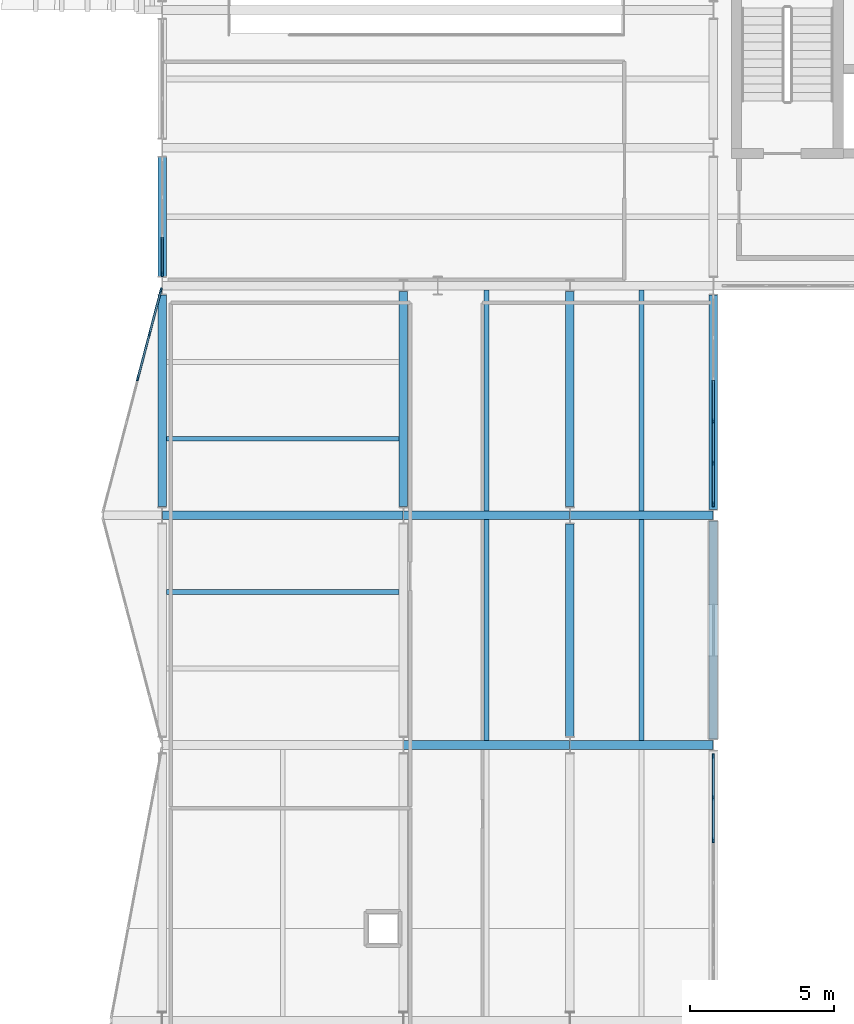
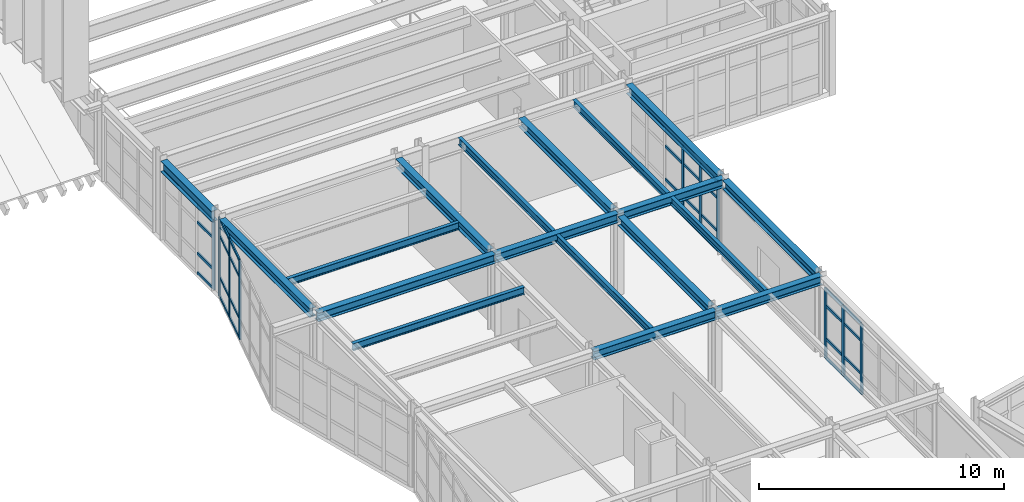
# One storey, part 36 of 99: 42 members, 18 beams, 4 elements without a shape of their own.
"""IFC4 building model written with IfcOpenShell, lengths in metres."""

from ifc_helpers import new_model, si_unit, direction, frame, origin, origin_2d, place, context, subcontext, project, spatial, rectangle, i_section, extrude, material, layer, layer_set, material_profile, profile_set, type_object, element, aggregate, save


model = new_model("IFC4")

# Units and contexts
model_context = context("Model", 3, precision=1e-05, world=origin(), true_north=direction((0.0, 1.0)))
body_context = subcontext(model_context, "Body", "Model", "MODEL_VIEW")
ifc_project = project(units=[si_unit("LENGTHUNIT", "METRE"), si_unit("AREAUNIT", "SQUARE_METRE"), si_unit("VOLUMEUNIT", "CUBIC_METRE"), si_unit("PLANEANGLEUNIT", "RADIAN"), si_unit("MASSUNIT", "GRAM", prefix="KILO")], contexts=[model_context])

# Site, building, storey
site_placement = place(None, origin())
site = spatial("IfcSite", under=ifc_project, at=site_placement, CompositionType="ELEMENT")
building_placement = place(site_placement, origin())
building = spatial("IfcBuilding", under=site, at=building_placement, Name="Nordkorset Police Headquarters", CompositionType="ELEMENT")
storey_placement = place(building_placement, frame((0.0, 0.0, 5.25)))
storey = spatial("IfcBuildingStorey", under=building, at=storey_placement, Name="L01", CompositionType="ELEMENT", Elevation=5.25)

# Beams
ifc_material_1 = material(Name="Steel S355J2", Category="steel")
ifc_material_profile_1 = material_profile(ifc_material_1, i_section(OverallWidth=0.169921875, OverallDepth=0.360107421875, WebThickness=0.008056640625, FlangeThickness=0.0126953125, FilletRadius=0.01806640625, at=origin_2d()), Name="IPE 360")
ifc_profile_set_1 = profile_set([ifc_material_profile_1], Name="Steel S355J2")
beam_type_1 = type_object("IfcBeamType", Name="Beam_IPE_360", PredefinedType="BEAM", material=ifc_profile_set_1)
for number, where, z_axis, x_axis, name in (
    (1, (0.14990234375, 72.533447265625, 3.780029296875), (1.0, 0.0, 0.0), (0.0, 1.0, 0.0), "Composite Floor Beam V3 L01 0-4-2"),
    (2, (0.14990234375, 77.86669921875, 3.780029296875), (1.0, 0.0, 0.0), (0.0, 1.0, 0.0), "Composite Floor Beam V3 L01 0-5-1"),
):
    element("IfcBeam", number, at=place(storey_placement, frame(where, z_axis=z_axis, x_axis=x_axis)), inside=storey, type_object=beam_type_1, Name=name, PredefinedType="BEAM", context=body_context, shape_type="SweptSolid", body=[
        extrude(i_section(OverallWidth=0.169921875, OverallDepth=0.360107421875, WebThickness=0.008056640625, FlangeThickness=0.0126953125, FilletRadius=0.01806640625, at=origin_2d()), origin(), (0.0, 0.0, 1.0), 8.10009765625),
    ])
for number, where, z_axis, x_axis, name in (
    (3, (11.300048828125, 67.35009765625, 3.780029296875), (0.0, 1.0, 0.0), (-1.0, 0.0, 0.0), "Composite Floor Beam V3 L01 1-4-1"),
    (4, (11.300048828125, 75.35009765625, 3.780029296875), (0.0, 1.0, 0.0), (-1.0, 0.0, 0.0), "Composite Floor Beam V3 L01 1-5-1"),
    (5, (16.699951171875, 67.35009765625, 3.780029296875), (0.0, 1.0, 0.0), (-1.0, 0.0, 0.0), "Composite Floor Beam V3 L01 2-4-1"),
    (6, (16.699951171875, 75.35009765625, 3.780029296875), (0.0, 1.0, 0.0), (-1.0, 0.0, 0.0), "Composite Floor Beam V3 L01 2-5-1"),
):
    element("IfcBeam", number, at=place(storey_placement, frame(where, z_axis=z_axis, x_axis=x_axis)), inside=storey, type_object=beam_type_1, Name=name, PredefinedType="BEAM", context=body_context, shape_type="SweptSolid", body=[
        extrude(i_section(OverallWidth=0.169921875, OverallDepth=0.360107421875, WebThickness=0.008056640625, FlangeThickness=0.0126953125, FilletRadius=0.01806640625, at=origin_2d()), origin(), (0.0, 0.0, 1.0), 7.699951171875),
    ])

# Curtain wall, member
ifc_material_2 = material(Name="Aluminium alloy AW-6060", Category="aluminium")
ifc_layer_1 = layer(ifc_material_2, 0.179931640625, Name="Aluminium alloy AW-6060")
ifc_layer_set_1 = layer_set([ifc_layer_1], Name="Aluminium alloy AW-6060")
curtain_wall_type_1 = type_object("IfcCurtainWallType", Name="CW_Unit_408x340", PredefinedType="USERDEFINED", material=ifc_layer_set_1)
curtain_wall_1_placement = place(storey_placement, origin())
curtain_wall_1 = element("IfcCurtainWall", 7, at=curtain_wall_1_placement, inside=storey, type_object=curtain_wall_type_1, Name="Unitised Curtain Wall L01 V1W-0", ObjectType="UNITISED CURTAIN WALL", PredefinedType="USERDEFINED")
ifc_material_3 = material(Name="Aluminium alloy AW-6060", Category="aluminium")
ifc_material_profile_2 = material_profile(ifc_material_3, rectangle(XDim=0.06494140625, YDim=0.179931640625, at=origin_2d()), Name="ALU MULL 65x180")
ifc_profile_set_2 = profile_set([ifc_material_profile_2], Name="Aluminium alloy AW-6060")
member_type_1 = type_object("IfcMemberType", Name="CW_Mullion_65x180", PredefinedType="MULLION", material=ifc_profile_set_2)
member_1_placement = place(storey_placement, frame((0.0, 83.592529296875, 0.0), z_axis=(0.0, 0.0, 1.0), x_axis=(-1.0, 0.0, 0.0)))
member_1 = element("IfcMember", 8, at=member_1_placement, type_object=member_type_1, Name="CW-75 mullion 1", PredefinedType="MULLION", context=body_context, shape_type="SweptSolid", body=[
    extrude(rectangle(XDim=0.06494140625, YDim=0.179931640625, at=origin_2d()), origin(), (0.0, 0.0, 1.0), 3.39990234375),
])

# Curtain wall, members
ifc_material_4 = material(Name="Aluminium alloy AW-6060", Category="aluminium")
ifc_layer_2 = layer(ifc_material_4, 0.179931640625, Name="Aluminium alloy AW-6060")
ifc_layer_set_2 = layer_set([ifc_layer_2], Name="Aluminium alloy AW-6060")
curtain_wall_type_2 = type_object("IfcCurtainWallType", Name="CW_Unit_888x350", PredefinedType="USERDEFINED", material=ifc_layer_set_2)
curtain_wall_2_placement = place(storey_placement, origin())
curtain_wall_2 = element("IfcCurtainWall", 9, at=curtain_wall_2_placement, inside=storey, type_object=curtain_wall_type_2, Name="Unitised Curtain Wall L01 V3E-3", ObjectType="UNITISED CURTAIN WALL", PredefinedType="USERDEFINED")
member_2_placement = place(storey_placement, frame((19.199951171875, 63.8798828125, 0.0), z_axis=(0.0, 0.0, 1.0), x_axis=(-1.0, 0.0, 0.0)))
member_2 = element("IfcMember", 10, at=member_2_placement, type_object=member_type_1, Name="CW-95 mullion 5", PredefinedType="MULLION", context=body_context, shape_type="SweptSolid", body=[
    extrude(rectangle(XDim=0.06494140625, YDim=0.179931640625, at=origin_2d()), origin(), (0.0, 0.0, 1.0), 3.5),
])
member_3_placement = place(storey_placement, frame((19.199951171875, 65.360107421875, 0.0), z_axis=(0.0, 0.0, 1.0), x_axis=(-1.0, 0.0, 0.0)))
member_3 = element("IfcMember", 11, at=member_3_placement, type_object=member_type_1, Name="CW-95 mullion 6", PredefinedType="MULLION", context=body_context, shape_type="SweptSolid", body=[
    extrude(rectangle(XDim=0.06494140625, YDim=0.179931640625, at=origin_2d()), origin(), (0.0, 0.0, 1.0), 3.5),
])
member_4_placement = place(storey_placement, frame((19.199951171875, 66.8076171875, 0.0), z_axis=(0.0, 0.0, 1.0), x_axis=(-1.0, 0.0, 0.0)))
member_4 = element("IfcMember", 12, at=member_4_placement, type_object=member_type_1, Name="CW-95 mullion 7", PredefinedType="MULLION", context=body_context, shape_type="SweptSolid", body=[
    extrude(rectangle(XDim=0.06494140625, YDim=0.179931640625, at=origin_2d()), origin(), (0.0, 0.0, 1.0), 3.5),
])

ifc_material_5 = material(Name="Aluminium alloy AW-6060", Category="aluminium")
ifc_layer_3 = layer(ifc_material_5, 0.179931640625, Name="Aluminium alloy AW-6060")
ifc_layer_set_3 = layer_set([ifc_layer_3], Name="Aluminium alloy AW-6060")
curtain_wall_type_3 = type_object("IfcCurtainWallType", Name="CW_Unit_799x392", PredefinedType="USERDEFINED", material=ifc_layer_set_3)
curtain_wall_3_placement = place(storey_placement, origin())
curtain_wall_3 = element("IfcCurtainWall", 13, at=curtain_wall_3_placement, inside=storey, type_object=curtain_wall_type_3, Name="Unitised Curtain Wall L01 V3W-5", ObjectType="UNITISED CURTAIN WALL", PredefinedType="USERDEFINED")
member_5_placement = place(storey_placement, frame((-0.84716796875, 79.972900390625, 0.0), z_axis=(0.0, 0.0, 1.0), x_axis=(-0.967231265013, 0.25389698695, 0.0)))
member_5 = element("IfcMember", 14, at=member_5_placement, type_object=member_type_1, Name="CW-68 mullion 4", PredefinedType="MULLION", context=body_context, shape_type="SweptSolid", body=[
    extrude(rectangle(XDim=0.06494140625, YDim=0.179931640625, at=origin_2d()), origin(), (0.0, 0.0, 1.0), 3.919921875),
])
member_6_placement = place(storey_placement, frame((-0.44140625, 81.518798828125, 0.0), z_axis=(0.0, 0.0, 1.0), x_axis=(-0.967231265013, 0.25389698695, 0.0)))
member_6 = element("IfcMember", 15, at=member_6_placement, type_object=member_type_1, Name="CW-68 mullion 5", PredefinedType="MULLION", context=body_context, shape_type="SweptSolid", body=[
    extrude(rectangle(XDim=0.06494140625, YDim=0.179931640625, at=origin_2d()), origin(), (0.0, 0.0, 1.0), 3.919921875),
])
member_7_placement = place(storey_placement, frame((-0.043701171875, 83.033203125, 0.0), z_axis=(0.0, 0.0, 1.0), x_axis=(-0.967231265013, 0.25389698695, 0.0)))
member_7 = element("IfcMember", 16, at=member_7_placement, type_object=member_type_1, Name="CW-68 mullion 6", PredefinedType="MULLION", context=body_context, shape_type="SweptSolid", body=[
    extrude(rectangle(XDim=0.06494140625, YDim=0.179931640625, at=origin_2d()), origin(), (0.0, 0.0, 1.0), 3.919921875),
])

ifc_material_6 = material(Name="Aluminium alloy AW-6060", Category="aluminium")
ifc_layer_4 = layer(ifc_material_6, 0.179931640625, Name="Aluminium alloy AW-6060")
ifc_layer_set_4 = layer_set([ifc_layer_4], Name="Aluminium alloy AW-6060")
curtain_wall_type_4 = type_object("IfcCurtainWallType", Name="CW_Unit_728x350", PredefinedType="USERDEFINED", material=ifc_layer_set_4)
curtain_wall_4_placement = place(storey_placement, origin())
curtain_wall_4 = element("IfcCurtainWall", 17, at=curtain_wall_4_placement, inside=storey, type_object=curtain_wall_type_4, Name="Unitised Curtain Wall L01 V3E-5", ObjectType="UNITISED CURTAIN WALL", PredefinedType="USERDEFINED")
member_8_placement = place(storey_placement, frame((19.199951171875, 75.592529296875, 0.0), z_axis=(0.0, 0.0, 1.0), x_axis=(-1.0, 0.0, 0.0)))
member_8 = element("IfcMember", 18, at=member_8_placement, type_object=member_type_1, Name="CW-70 mullion 1", PredefinedType="MULLION", context=body_context, shape_type="SweptSolid", body=[
    extrude(rectangle(XDim=0.06494140625, YDim=0.179931640625, at=origin_2d()), origin(), (0.0, 0.0, 1.0), 3.5),
])
member_9_placement = place(storey_placement, frame((19.199951171875, 77.01611328125, 0.0), z_axis=(0.0, 0.0, 1.0), x_axis=(-1.0, 0.0, 0.0)))
member_9 = element("IfcMember", 19, at=member_9_placement, type_object=member_type_1, Name="CW-70 mullion 2", PredefinedType="MULLION", context=body_context, shape_type="SweptSolid", body=[
    extrude(rectangle(XDim=0.06494140625, YDim=0.179931640625, at=origin_2d()), origin(), (0.0, 0.0, 1.0), 3.5),
])
member_10_placement = place(storey_placement, frame((19.199951171875, 78.471923828125, 0.0), z_axis=(0.0, 0.0, 1.0), x_axis=(-1.0, 0.0, 0.0)))
member_10 = element("IfcMember", 20, at=member_10_placement, type_object=member_type_1, Name="CW-70 mullion 3", PredefinedType="MULLION", context=body_context, shape_type="SweptSolid", body=[
    extrude(rectangle(XDim=0.06494140625, YDim=0.179931640625, at=origin_2d()), origin(), (0.0, 0.0, 1.0), 3.5),
])

# Member
ifc_material_7 = material(Name="Aluminium alloy AW-6060", Category="aluminium")
ifc_material_profile_3 = material_profile(ifc_material_7, rectangle(XDim=0.06494140625, YDim=0.139892578125, at=origin_2d()), Name="ALU TRAN 65x140")
ifc_profile_set_3 = profile_set([ifc_material_profile_3], Name="Aluminium alloy AW-6060")
member_type_2 = type_object("IfcMemberType", Name="CW_Transom_65x140", PredefinedType="USERDEFINED", material=ifc_profile_set_3)
member_11_placement = place(storey_placement, frame((0.0, 83.625, 0.032470703125), z_axis=(0.0, 1.0, 0.0), x_axis=(-1.0, 0.0, 0.0)))
member_11 = element("IfcMember", 21, at=member_11_placement, type_object=member_type_2, Name="CW-75 transom 1.1", ObjectType="TRANSOM", PredefinedType="USERDEFINED", context=body_context, shape_type="SweptSolid", body=[
    extrude(rectangle(XDim=0.06494140625, YDim=0.139892578125, at=origin_2d()), origin(), (0.0, 0.0, 1.0), 1.262451171875),
])

member_12_placement = place(storey_placement, frame((0.0, 83.625, 1.0), z_axis=(0.0, 1.0, 0.0), x_axis=(-1.0, 0.0, 0.0)))
member_12 = element("IfcMember", 22, at=member_12_placement, type_object=member_type_2, Name="CW-75 transom 1.2", ObjectType="TRANSOM", PredefinedType="USERDEFINED", context=body_context, shape_type="SweptSolid", body=[
    extrude(rectangle(XDim=0.06494140625, YDim=0.139892578125, at=origin_2d()), origin(), (0.0, 0.0, 1.0), 1.262451171875),
])

member_13_placement = place(storey_placement, frame((0.0, 83.625, 2.550048828125), z_axis=(0.0, 1.0, 0.0), x_axis=(-1.0, 0.0, 0.0)))
member_13 = element("IfcMember", 23, at=member_13_placement, type_object=member_type_2, Name="CW-75 transom 1.3", ObjectType="TRANSOM", PredefinedType="USERDEFINED", context=body_context, shape_type="SweptSolid", body=[
    extrude(rectangle(XDim=0.06494140625, YDim=0.139892578125, at=origin_2d()), origin(), (0.0, 0.0, 1.0), 1.262451171875),
])

member_14_placement = place(storey_placement, frame((0.0, 83.625, 3.367431640625), z_axis=(0.0, 1.0, 0.0), x_axis=(-1.0, 0.0, 0.0)))
member_14 = element("IfcMember", 24, at=member_14_placement, type_object=member_type_2, Name="CW-75 transom 1.4", ObjectType="TRANSOM", PredefinedType="USERDEFINED", context=body_context, shape_type="SweptSolid", body=[
    extrude(rectangle(XDim=0.06494140625, YDim=0.139892578125, at=origin_2d()), origin(), (0.0, 0.0, 1.0), 1.262451171875),
])

aggregate(curtain_wall_1, [member_1, member_11, member_12, member_13, member_14])

member_15_placement = place(storey_placement, frame((19.199951171875, 63.91259765625, 0.032470703125), z_axis=(0.0, 1.0, 0.0), x_axis=(-1.0, 0.0, 0.0)))
member_15 = element("IfcMember", 25, at=member_15_placement, type_object=member_type_2, Name="CW-95 transom 5.1", ObjectType="TRANSOM", PredefinedType="USERDEFINED", context=body_context, shape_type="SweptSolid", body=[
    extrude(rectangle(XDim=0.06494140625, YDim=0.139892578125, at=origin_2d()), origin(), (0.0, 0.0, 1.0), 1.414794921875),
])

member_16_placement = place(storey_placement, frame((19.199951171875, 63.91259765625, 1.0), z_axis=(0.0, 1.0, 0.0), x_axis=(-1.0, 0.0, 0.0)))
member_16 = element("IfcMember", 26, at=member_16_placement, type_object=member_type_2, Name="CW-95 transom 5.2", ObjectType="TRANSOM", PredefinedType="USERDEFINED", context=body_context, shape_type="SweptSolid", body=[
    extrude(rectangle(XDim=0.06494140625, YDim=0.139892578125, at=origin_2d()), origin(), (0.0, 0.0, 1.0), 1.414794921875),
])

member_17_placement = place(storey_placement, frame((19.199951171875, 63.91259765625, 2.64990234375), z_axis=(0.0, 1.0, 0.0), x_axis=(-1.0, 0.0, 0.0)))
member_17 = element("IfcMember", 27, at=member_17_placement, type_object=member_type_2, Name="CW-95 transom 5.3", ObjectType="TRANSOM", PredefinedType="USERDEFINED", context=body_context, shape_type="SweptSolid", body=[
    extrude(rectangle(XDim=0.06494140625, YDim=0.139892578125, at=origin_2d()), origin(), (0.0, 0.0, 1.0), 1.414794921875),
])

member_18_placement = place(storey_placement, frame((19.199951171875, 63.91259765625, 3.467529296875), z_axis=(0.0, 1.0, 0.0), x_axis=(-1.0, 0.0, 0.0)))
member_18 = element("IfcMember", 28, at=member_18_placement, type_object=member_type_2, Name="CW-95 transom 5.4", ObjectType="TRANSOM", PredefinedType="USERDEFINED", context=body_context, shape_type="SweptSolid", body=[
    extrude(rectangle(XDim=0.06494140625, YDim=0.139892578125, at=origin_2d()), origin(), (0.0, 0.0, 1.0), 1.414794921875),
])

member_19_placement = place(storey_placement, frame((19.199951171875, 65.392578125, 0.032470703125), z_axis=(0.0, 1.0, 0.0), x_axis=(-1.0, 0.0, 0.0)))
member_19 = element("IfcMember", 29, at=member_19_placement, type_object=member_type_2, Name="CW-95 transom 6.1", ObjectType="TRANSOM", PredefinedType="USERDEFINED", context=body_context, shape_type="SweptSolid", body=[
    extrude(rectangle(XDim=0.06494140625, YDim=0.139892578125, at=origin_2d()), origin(), (0.0, 0.0, 1.0), 1.38232421875),
])

member_20_placement = place(storey_placement, frame((19.199951171875, 65.392578125, 1.0), z_axis=(0.0, 1.0, 0.0), x_axis=(-1.0, 0.0, 0.0)))
member_20 = element("IfcMember", 30, at=member_20_placement, type_object=member_type_2, Name="CW-95 transom 6.2", ObjectType="TRANSOM", PredefinedType="USERDEFINED", context=body_context, shape_type="SweptSolid", body=[
    extrude(rectangle(XDim=0.06494140625, YDim=0.139892578125, at=origin_2d()), origin(), (0.0, 0.0, 1.0), 1.38232421875),
])

member_21_placement = place(storey_placement, frame((19.199951171875, 65.392578125, 2.64990234375), z_axis=(0.0, 1.0, 0.0), x_axis=(-1.0, 0.0, 0.0)))
member_21 = element("IfcMember", 31, at=member_21_placement, type_object=member_type_2, Name="CW-95 transom 6.3", ObjectType="TRANSOM", PredefinedType="USERDEFINED", context=body_context, shape_type="SweptSolid", body=[
    extrude(rectangle(XDim=0.06494140625, YDim=0.139892578125, at=origin_2d()), origin(), (0.0, 0.0, 1.0), 1.38232421875),
])

member_22_placement = place(storey_placement, frame((19.199951171875, 65.392578125, 3.467529296875), z_axis=(0.0, 1.0, 0.0), x_axis=(-1.0, 0.0, 0.0)))
member_22 = element("IfcMember", 32, at=member_22_placement, type_object=member_type_2, Name="CW-95 transom 6.4", ObjectType="TRANSOM", PredefinedType="USERDEFINED", context=body_context, shape_type="SweptSolid", body=[
    extrude(rectangle(XDim=0.06494140625, YDim=0.139892578125, at=origin_2d()), origin(), (0.0, 0.0, 1.0), 1.38232421875),
])

aggregate(curtain_wall_2, [member_2, member_3, member_4, member_15, member_16, member_17, member_18, member_19, member_20, member_21, member_22])

member_23_placement = place(storey_placement, frame((-0.8388671875, 80.00439453125, 0.032470703125), z_axis=(0.253983786522, 0.967208476071, 0.0), x_axis=(-0.967208476071, 0.253983786522, 0.0)))
member_23 = element("IfcMember", 33, at=member_23_placement, type_object=member_type_2, Name="CW-68 transom 4.1", ObjectType="TRANSOM", PredefinedType="USERDEFINED", context=body_context, shape_type="SweptSolid", body=[
    extrude(rectangle(XDim=0.06494140625, YDim=0.139892578125, at=origin_2d()), origin(), (0.0, 0.0, 1.0), 1.533203125),
])

member_24_placement = place(storey_placement, frame((-0.8388671875, 80.00439453125, 1.0), z_axis=(0.253983786522, 0.967208476071, 0.0), x_axis=(-0.967208476071, 0.253983786522, 0.0)))
member_24 = element("IfcMember", 34, at=member_24_placement, type_object=member_type_2, Name="CW-68 transom 4.2", ObjectType="TRANSOM", PredefinedType="USERDEFINED", context=body_context, shape_type="SweptSolid", body=[
    extrude(rectangle(XDim=0.06494140625, YDim=0.139892578125, at=origin_2d()), origin(), (0.0, 0.0, 1.0), 1.533203125),
])

member_25_placement = place(storey_placement, frame((-0.8388671875, 80.00439453125, 3.070068359375), z_axis=(0.253983786522, 0.967208476071, 0.0), x_axis=(-0.967208476071, 0.253983786522, 0.0)))
member_25 = element("IfcMember", 35, at=member_25_placement, type_object=member_type_2, Name="CW-68 transom 4.3", ObjectType="TRANSOM", PredefinedType="USERDEFINED", context=body_context, shape_type="SweptSolid", body=[
    extrude(rectangle(XDim=0.06494140625, YDim=0.139892578125, at=origin_2d()), origin(), (0.0, 0.0, 1.0), 1.533203125),
])

member_26_placement = place(storey_placement, frame((-0.8388671875, 80.00439453125, 3.887451171875), z_axis=(0.253983786522, 0.967208476071, 0.0), x_axis=(-0.967208476071, 0.253983786522, 0.0)))
member_26 = element("IfcMember", 36, at=member_26_placement, type_object=member_type_2, Name="CW-68 transom 4.4", ObjectType="TRANSOM", PredefinedType="USERDEFINED", context=body_context, shape_type="SweptSolid", body=[
    extrude(rectangle(XDim=0.06494140625, YDim=0.139892578125, at=origin_2d()), origin(), (0.0, 0.0, 1.0), 1.533203125),
])

member_27_placement = place(storey_placement, frame((-0.43310546875, 81.55029296875, 0.032470703125), z_axis=(0.253964717796, 0.967213483216, 0.0), x_axis=(-0.967213483216, 0.253964717796, 0.0)))
member_27 = element("IfcMember", 37, at=member_27_placement, type_object=member_type_2, Name="CW-68 transom 5.1", ObjectType="TRANSOM", PredefinedType="USERDEFINED", context=body_context, shape_type="SweptSolid", body=[
    extrude(rectangle(XDim=0.06494140625, YDim=0.139892578125, at=origin_2d()), origin(), (0.0, 0.0, 1.0), 1.500732421875),
])

member_28_placement = place(storey_placement, frame((-0.43310546875, 81.55029296875, 1.0), z_axis=(0.253964717796, 0.967213483216, 0.0), x_axis=(-0.967213483216, 0.253964717796, 0.0)))
member_28 = element("IfcMember", 38, at=member_28_placement, type_object=member_type_2, Name="CW-68 transom 5.2", ObjectType="TRANSOM", PredefinedType="USERDEFINED", context=body_context, shape_type="SweptSolid", body=[
    extrude(rectangle(XDim=0.06494140625, YDim=0.139892578125, at=origin_2d()), origin(), (0.0, 0.0, 1.0), 1.500732421875),
])

member_29_placement = place(storey_placement, frame((-0.43310546875, 81.55029296875, 3.070068359375), z_axis=(0.253964717796, 0.967213483216, 0.0), x_axis=(-0.967213483216, 0.253964717796, 0.0)))
member_29 = element("IfcMember", 39, at=member_29_placement, type_object=member_type_2, Name="CW-68 transom 5.3", ObjectType="TRANSOM", PredefinedType="USERDEFINED", context=body_context, shape_type="SweptSolid", body=[
    extrude(rectangle(XDim=0.06494140625, YDim=0.139892578125, at=origin_2d()), origin(), (0.0, 0.0, 1.0), 1.500732421875),
])

member_30_placement = place(storey_placement, frame((-0.43310546875, 81.55029296875, 3.887451171875), z_axis=(0.253964717796, 0.967213483216, 0.0), x_axis=(-0.967213483216, 0.253964717796, 0.0)))
member_30 = element("IfcMember", 40, at=member_30_placement, type_object=member_type_2, Name="CW-68 transom 5.4", ObjectType="TRANSOM", PredefinedType="USERDEFINED", context=body_context, shape_type="SweptSolid", body=[
    extrude(rectangle(XDim=0.06494140625, YDim=0.139892578125, at=origin_2d()), origin(), (0.0, 0.0, 1.0), 1.500732421875),
])

aggregate(curtain_wall_3, [member_5, member_6, member_7, member_23, member_24, member_25, member_26, member_27, member_28, member_29, member_30])

member_31_placement = place(storey_placement, frame((19.199951171875, 75.625, 0.032470703125), z_axis=(0.0, 1.0, 0.0), x_axis=(-1.0, 0.0, 0.0)))
member_31 = element("IfcMember", 41, at=member_31_placement, type_object=member_type_2, Name="CW-70 transom 1.1", ObjectType="TRANSOM", PredefinedType="USERDEFINED", context=body_context, shape_type="SweptSolid", body=[
    extrude(rectangle(XDim=0.06494140625, YDim=0.139892578125, at=origin_2d()), origin(), (0.0, 0.0, 1.0), 1.3583984375),
])

member_32_placement = place(storey_placement, frame((19.199951171875, 75.625, 1.0), z_axis=(0.0, 1.0, 0.0), x_axis=(-1.0, 0.0, 0.0)))
member_32 = element("IfcMember", 42, at=member_32_placement, type_object=member_type_2, Name="CW-70 transom 1.2", ObjectType="TRANSOM", PredefinedType="USERDEFINED", context=body_context, shape_type="SweptSolid", body=[
    extrude(rectangle(XDim=0.06494140625, YDim=0.139892578125, at=origin_2d()), origin(), (0.0, 0.0, 1.0), 1.3583984375),
])

member_33_placement = place(storey_placement, frame((19.199951171875, 75.625, 2.64990234375), z_axis=(0.0, 1.0, 0.0), x_axis=(-1.0, 0.0, 0.0)))
member_33 = element("IfcMember", 43, at=member_33_placement, type_object=member_type_2, Name="CW-70 transom 1.3", ObjectType="TRANSOM", PredefinedType="USERDEFINED", context=body_context, shape_type="SweptSolid", body=[
    extrude(rectangle(XDim=0.06494140625, YDim=0.139892578125, at=origin_2d()), origin(), (0.0, 0.0, 1.0), 1.3583984375),
])

member_34_placement = place(storey_placement, frame((19.199951171875, 75.625, 3.467529296875), z_axis=(0.0, 1.0, 0.0), x_axis=(-1.0, 0.0, 0.0)))
member_34 = element("IfcMember", 44, at=member_34_placement, type_object=member_type_2, Name="CW-70 transom 1.4", ObjectType="TRANSOM", PredefinedType="USERDEFINED", context=body_context, shape_type="SweptSolid", body=[
    extrude(rectangle(XDim=0.06494140625, YDim=0.139892578125, at=origin_2d()), origin(), (0.0, 0.0, 1.0), 1.3583984375),
])

member_35_placement = place(storey_placement, frame((19.199951171875, 77.048583984375, 0.032470703125), z_axis=(0.0, 1.0, 0.0), x_axis=(-1.0, 0.0, 0.0)))
member_35 = element("IfcMember", 45, at=member_35_placement, type_object=member_type_2, Name="CW-70 transom 2.1", ObjectType="TRANSOM", PredefinedType="USERDEFINED", context=body_context, shape_type="SweptSolid", body=[
    extrude(rectangle(XDim=0.06494140625, YDim=0.139892578125, at=origin_2d()), origin(), (0.0, 0.0, 1.0), 1.390869140625),
])

member_36_placement = place(storey_placement, frame((19.199951171875, 77.048583984375, 1.0), z_axis=(0.0, 1.0, 0.0), x_axis=(-1.0, 0.0, 0.0)))
member_36 = element("IfcMember", 46, at=member_36_placement, type_object=member_type_2, Name="CW-70 transom 2.2", ObjectType="TRANSOM", PredefinedType="USERDEFINED", context=body_context, shape_type="SweptSolid", body=[
    extrude(rectangle(XDim=0.06494140625, YDim=0.139892578125, at=origin_2d()), origin(), (0.0, 0.0, 1.0), 1.390869140625),
])

member_37_placement = place(storey_placement, frame((19.199951171875, 77.048583984375, 2.64990234375), z_axis=(0.0, 1.0, 0.0), x_axis=(-1.0, 0.0, 0.0)))
member_37 = element("IfcMember", 47, at=member_37_placement, type_object=member_type_2, Name="CW-70 transom 2.3", ObjectType="TRANSOM", PredefinedType="USERDEFINED", context=body_context, shape_type="SweptSolid", body=[
    extrude(rectangle(XDim=0.06494140625, YDim=0.139892578125, at=origin_2d()), origin(), (0.0, 0.0, 1.0), 1.390869140625),
])

member_38_placement = place(storey_placement, frame((19.199951171875, 77.048583984375, 3.467529296875), z_axis=(0.0, 1.0, 0.0), x_axis=(-1.0, 0.0, 0.0)))
member_38 = element("IfcMember", 48, at=member_38_placement, type_object=member_type_2, Name="CW-70 transom 2.4", ObjectType="TRANSOM", PredefinedType="USERDEFINED", context=body_context, shape_type="SweptSolid", body=[
    extrude(rectangle(XDim=0.06494140625, YDim=0.139892578125, at=origin_2d()), origin(), (0.0, 0.0, 1.0), 1.390869140625),
])

member_39_placement = place(storey_placement, frame((19.199951171875, 78.50439453125, 0.032470703125), z_axis=(0.0, 1.0, 0.0), x_axis=(-1.0, 0.0, 0.0)))
member_39 = element("IfcMember", 49, at=member_39_placement, type_object=member_type_2, Name="CW-70 transom 3.1", ObjectType="TRANSOM", PredefinedType="USERDEFINED", context=body_context, shape_type="SweptSolid", body=[
    extrude(rectangle(XDim=0.06494140625, YDim=0.139892578125, at=origin_2d()), origin(), (0.0, 0.0, 1.0), 1.39111328125),
])

member_40_placement = place(storey_placement, frame((19.199951171875, 78.50439453125, 1.0), z_axis=(0.0, 1.0, 0.0), x_axis=(-1.0, 0.0, 0.0)))
member_40 = element("IfcMember", 50, at=member_40_placement, type_object=member_type_2, Name="CW-70 transom 3.2", ObjectType="TRANSOM", PredefinedType="USERDEFINED", context=body_context, shape_type="SweptSolid", body=[
    extrude(rectangle(XDim=0.06494140625, YDim=0.139892578125, at=origin_2d()), origin(), (0.0, 0.0, 1.0), 1.39111328125),
])

member_41_placement = place(storey_placement, frame((19.199951171875, 78.50439453125, 2.64990234375), z_axis=(0.0, 1.0, 0.0), x_axis=(-1.0, 0.0, 0.0)))
member_41 = element("IfcMember", 51, at=member_41_placement, type_object=member_type_2, Name="CW-70 transom 3.3", ObjectType="TRANSOM", PredefinedType="USERDEFINED", context=body_context, shape_type="SweptSolid", body=[
    extrude(rectangle(XDim=0.06494140625, YDim=0.139892578125, at=origin_2d()), origin(), (0.0, 0.0, 1.0), 1.39111328125),
])

member_42_placement = place(storey_placement, frame((19.199951171875, 78.50439453125, 3.467529296875), z_axis=(0.0, 1.0, 0.0), x_axis=(-1.0, 0.0, 0.0)))
member_42 = element("IfcMember", 52, at=member_42_placement, type_object=member_type_2, Name="CW-70 transom 3.4", ObjectType="TRANSOM", PredefinedType="USERDEFINED", context=body_context, shape_type="SweptSolid", body=[
    extrude(rectangle(XDim=0.06494140625, YDim=0.139892578125, at=origin_2d()), origin(), (0.0, 0.0, 1.0), 1.39111328125),
])

aggregate(curtain_wall_4, [member_8, member_9, member_10, member_31, member_32, member_33, member_34, member_35, member_36, member_37, member_38, member_39, member_40, member_41, member_42])

# Beams
ifc_material_8 = material(Name="Steel S355J2", Category="steel")
ifc_material_profile_4 = material_profile(ifc_material_8, i_section(OverallWidth=0.300048828125, OverallDepth=0.43994140625, WebThickness=0.011474609375, FlangeThickness=0.02099609375, FilletRadius=0.027099609375, at=origin_2d()), Name="HEA 450")
ifc_profile_set_4 = profile_set([ifc_material_profile_4], Name="Steel S355J2")
beam_type_2 = type_object("IfcBeamType", Name="Girder_HEA_450", PredefinedType="USERDEFINED", material=ifc_profile_set_4)
beam_1_placement = place(storey_placement, frame((8.40771484375, 67.199951171875, 3.739990234375), z_axis=(1.0, 0.0, 0.0), x_axis=(0.0, 1.0, 0.0)))
element("IfcBeam", 53, at=beam_1_placement, inside=storey, type_object=beam_type_2, Name="Girder V3 L01 GX-4-1", ObjectType="GIRDER", PredefinedType="USERDEFINED", context=body_context, shape_type="SweptSolid", body=[
    extrude(i_section(OverallWidth=0.300048828125, OverallDepth=0.43994140625, WebThickness=0.011474609375, FlangeThickness=0.02099609375, FilletRadius=0.027099609375, at=origin_2d()), origin(), (0.0, 0.0, 1.0), 5.78466796875),
])
beam_2_placement = place(storey_placement, frame((14.207763671875, 67.199951171875, 3.739990234375), z_axis=(1.0, 0.0, 0.0), x_axis=(0.0, 1.0, 0.0)))
element("IfcBeam", 54, at=beam_2_placement, inside=storey, type_object=beam_type_2, Name="Girder V3 L01 GX-4-2", ObjectType="GIRDER", PredefinedType="USERDEFINED", context=body_context, shape_type="SweptSolid", body=[
    extrude(i_section(OverallWidth=0.300048828125, OverallDepth=0.43994140625, WebThickness=0.011474609375, FlangeThickness=0.02099609375, FilletRadius=0.027099609375, at=origin_2d()), origin(), (0.0, 0.0, 1.0), 4.985595703125),
])
beam_3_placement = place(storey_placement, frame((0.0078125, 75.199951171875, 3.739990234375), z_axis=(1.0, 0.0, 0.0), x_axis=(0.0, 1.0, 0.0)))
element("IfcBeam", 55, at=beam_3_placement, inside=storey, type_object=beam_type_2, Name="Girder V3 L01 GX-5-0", ObjectType="GIRDER", PredefinedType="USERDEFINED", context=body_context, shape_type="SweptSolid", body=[
    extrude(i_section(OverallWidth=0.300048828125, OverallDepth=0.43994140625, WebThickness=0.011474609375, FlangeThickness=0.02099609375, FilletRadius=0.027099609375, at=origin_2d()), origin(), (0.0, 0.0, 1.0), 8.384521484375),
])
beam_4_placement = place(storey_placement, frame((8.40771484375, 75.199951171875, 3.739990234375), z_axis=(1.0, 0.0, 0.0), x_axis=(0.0, 1.0, 0.0)))
element("IfcBeam", 56, at=beam_4_placement, inside=storey, type_object=beam_type_2, Name="Girder V3 L01 GX-5-1", ObjectType="GIRDER", PredefinedType="USERDEFINED", context=body_context, shape_type="SweptSolid", body=[
    extrude(i_section(OverallWidth=0.300048828125, OverallDepth=0.43994140625, WebThickness=0.011474609375, FlangeThickness=0.02099609375, FilletRadius=0.027099609375, at=origin_2d()), origin(), (0.0, 0.0, 1.0), 5.78466796875),
])
beam_5_placement = place(storey_placement, frame((14.207763671875, 75.199951171875, 3.739990234375), z_axis=(1.0, 0.0, 0.0), x_axis=(0.0, 1.0, 0.0)))
element("IfcBeam", 57, at=beam_5_placement, inside=storey, type_object=beam_type_2, Name="Girder V3 L01 GX-5-2", ObjectType="GIRDER", PredefinedType="USERDEFINED", context=body_context, shape_type="SweptSolid", body=[
    extrude(i_section(OverallWidth=0.300048828125, OverallDepth=0.43994140625, WebThickness=0.011474609375, FlangeThickness=0.02099609375, FilletRadius=0.027099609375, at=origin_2d()), origin(), (0.0, 0.0, 1.0), 4.985595703125),
])
beam_6_placement = place(storey_placement, frame((0.0, 75.5, 3.739990234375), z_axis=(0.0, 1.0, 0.0), x_axis=(-1.0, 0.0, 0.0)))
element("IfcBeam", 58, at=beam_6_placement, inside=storey, type_object=beam_type_2, Name="Girder V3 L01 GY-0-5", ObjectType="GIRDER", PredefinedType="USERDEFINED", context=body_context, shape_type="SweptSolid", body=[
    extrude(i_section(OverallWidth=0.300048828125, OverallDepth=0.43994140625, WebThickness=0.011474609375, FlangeThickness=0.02099609375, FilletRadius=0.027099609375, at=origin_2d()), origin(), (0.0, 0.0, 1.0), 7.375),
])
beam_7_placement = place(storey_placement, frame((8.39990234375, 75.5, 3.739990234375), z_axis=(0.0, 1.0, 0.0), x_axis=(-1.0, 0.0, 0.0)))
element("IfcBeam", 59, at=beam_7_placement, inside=storey, type_object=beam_type_2, Name="Girder V3 L01 GY-1-5", ObjectType="GIRDER", PredefinedType="USERDEFINED", context=body_context, shape_type="SweptSolid", body=[
    extrude(i_section(OverallWidth=0.300048828125, OverallDepth=0.43994140625, WebThickness=0.011474609375, FlangeThickness=0.02099609375, FilletRadius=0.027099609375, at=origin_2d()), origin(), (0.0, 0.0, 1.0), 7.5),
])
beam_8_placement = place(storey_placement, frame((14.199951171875, 67.5, 3.739990234375), z_axis=(0.0, 1.0, 0.0), x_axis=(-1.0, 0.0, 0.0)))
element("IfcBeam", 60, at=beam_8_placement, inside=storey, type_object=beam_type_2, Name="Girder V3 L01 GY-2-4", ObjectType="GIRDER", PredefinedType="USERDEFINED", context=body_context, shape_type="SweptSolid", body=[
    extrude(i_section(OverallWidth=0.300048828125, OverallDepth=0.43994140625, WebThickness=0.011474609375, FlangeThickness=0.02099609375, FilletRadius=0.027099609375, at=origin_2d()), origin(), (0.0, 0.0, 1.0), 7.39990234375),
])
beam_9_placement = place(storey_placement, frame((14.199951171875, 75.5, 3.739990234375), z_axis=(0.0, 1.0, 0.0), x_axis=(-1.0, 0.0, 0.0)))
element("IfcBeam", 61, at=beam_9_placement, inside=storey, type_object=beam_type_2, Name="Girder V3 L01 GY-2-5", ObjectType="GIRDER", PredefinedType="USERDEFINED", context=body_context, shape_type="SweptSolid", body=[
    extrude(i_section(OverallWidth=0.300048828125, OverallDepth=0.43994140625, WebThickness=0.011474609375, FlangeThickness=0.02099609375, FilletRadius=0.027099609375, at=origin_2d()), origin(), (0.0, 0.0, 1.0), 7.5),
])
beam_10_placement = place(storey_placement, frame((19.199951171875, 67.39990234375, 3.739990234375), z_axis=(0.0, 1.0, 0.0), x_axis=(-1.0, 0.0, 0.0)))
element("IfcBeam", 62, at=beam_10_placement, inside=storey, type_object=beam_type_2, Name="Girder V3 L01 GY-3-4", ObjectType="GIRDER", PredefinedType="USERDEFINED", context=body_context, shape_type="SweptSolid", body=[
    extrude(i_section(OverallWidth=0.300048828125, OverallDepth=0.43994140625, WebThickness=0.011474609375, FlangeThickness=0.02099609375, FilletRadius=0.027099609375, at=origin_2d()), origin(), (0.0, 0.0, 1.0), 7.60009765625),
])
beam_11_placement = place(storey_placement, frame((19.199951171875, 75.39990234375, 3.739990234375), z_axis=(0.0, 1.0, 0.0), x_axis=(-1.0, 0.0, 0.0)))
element("IfcBeam", 63, at=beam_11_placement, inside=storey, type_object=beam_type_2, Name="Girder V3 L01 GY-3-5", ObjectType="GIRDER", PredefinedType="USERDEFINED", context=body_context, shape_type="SweptSolid", body=[
    extrude(i_section(OverallWidth=0.300048828125, OverallDepth=0.43994140625, WebThickness=0.011474609375, FlangeThickness=0.02099609375, FilletRadius=0.027099609375, at=origin_2d()), origin(), (0.0, 0.0, 1.0), 7.47509765625),
])
ifc_material_9 = material(Name="Steel S355J2", Category="steel")
ifc_material_profile_5 = material_profile(ifc_material_9, i_section(OverallWidth=0.300048828125, OverallDepth=0.5400390625, WebThickness=0.012451171875, FlangeThickness=0.02392578125, FilletRadius=0.027099609375, at=origin_2d()), Name="HEA 550")
ifc_profile_set_5 = profile_set([ifc_material_profile_5], Name="Steel S355J2")
beam_type_3 = type_object("IfcBeamType", Name="Girder_HEA_550", PredefinedType="USERDEFINED", material=ifc_profile_set_5)
beam_12_placement = place(storey_placement, frame((0.0, 83.52490234375, 3.68994140625), z_axis=(0.0, 1.0, 0.0), x_axis=(-1.0, 0.0, 0.0)))
element("IfcBeam", 64, at=beam_12_placement, inside=storey, type_object=beam_type_3, Name="Girder V1 L01 GY-0-0", ObjectType="GIRDER", PredefinedType="USERDEFINED", context=body_context, shape_type="SweptSolid", body=[
    extrude(i_section(OverallWidth=0.300048828125, OverallDepth=0.5400390625, WebThickness=0.012451171875, FlangeThickness=0.02392578125, FilletRadius=0.027099609375, at=origin_2d()), origin(), (0.0, 0.0, 1.0), 4.150146484375),
])

save(model, "model.ifc")
